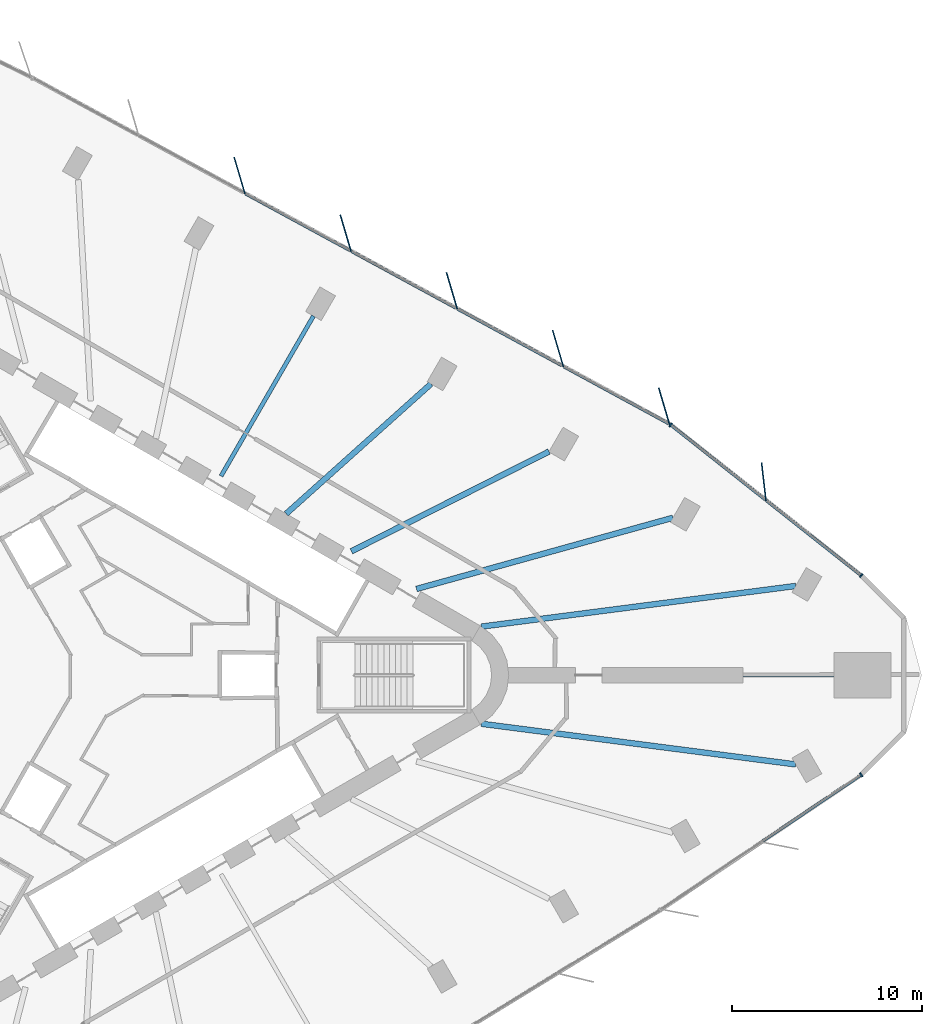
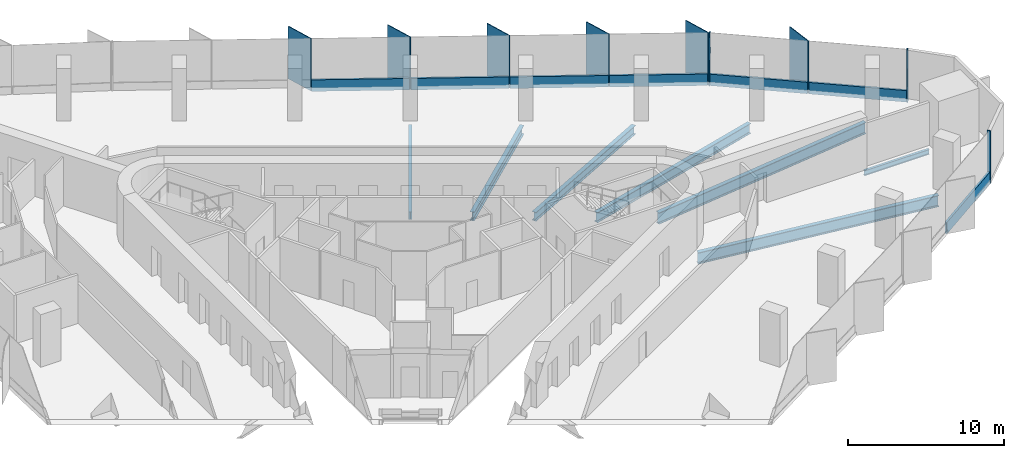
# One storey, part 5 of 14: 16 members, 7 beams, 3 elements without a shape of their own.
"""IFC4 building model written with IfcOpenShell, lengths in metres."""

from ifc_helpers import new_model, si_unit, direction, frame, origin, origin_2d, place, context, subcontext, project, spatial, rectangle, i_section, extrude, material, material_profile, profile_set, type_object, element, aggregate, save


model = new_model("IFC4")

# Units and contexts
model_context = context("Model", 3, precision=1e-05, world=origin(), true_north=direction((0.0, 1.0)))
body_context = subcontext(model_context, "Body", "Model", "MODEL_VIEW")
ifc_project = project(units=[si_unit("LENGTHUNIT", "METRE"), si_unit("AREAUNIT", "SQUARE_METRE"), si_unit("VOLUMEUNIT", "CUBIC_METRE"), si_unit("PLANEANGLEUNIT", "RADIAN"), si_unit("MASSUNIT", "GRAM", prefix="KILO")], contexts=[model_context])

# Site, building, storey
site_placement = place(None, origin())
site = spatial("IfcSite", under=ifc_project, at=site_placement, CompositionType="ELEMENT")
building_placement = place(site_placement, origin())
building = spatial("IfcBuilding", under=site, at=building_placement, Name="Tanit Gate Tower", CompositionType="ELEMENT")
storey_placement = place(building_placement, frame((0.0, 0.0, 148.0)))
storey = spatial("IfcBuildingStorey", under=building, at=storey_placement, Name="L32", CompositionType="ELEMENT", Elevation=148.0)

# Curtain wall, member
ifc_material_1 = material(Name="Aluminium bronze anodised and glass", Category="aluminium")
curtain_wall_type = type_object("IfcCurtainWallType", Name="Curtain wall typical low", PredefinedType="NOTDEFINED", material=ifc_material_1)
curtain_wall_1_placement = place(storey_placement, origin())
curtain_wall_1 = element("IfcCurtainWall", 1, at=curtain_wall_1_placement, inside=storey, type_object=curtain_wall_type, Name="Curtain wall L32 NE1", PredefinedType="NOTDEFINED")
ifc_material_2 = material(Name="Aluminium bronze anodised", Category="aluminium")
ifc_material_profile_1 = material_profile(ifc_material_2, rectangle(XDim=2.0, YDim=0.055908203125, at=origin_2d()), Name="56x2000 bronze fin mullion")
ifc_profile_set_1 = profile_set([ifc_material_profile_1], Name="Aluminium bronze anodised")
member_type_1 = type_object("IfcMemberType", Name="FIN MULLION 56x2000 bronze", PredefinedType="MULLION", material=ifc_profile_set_1)
member_1_placement = place(storey_placement, frame((34.624755859375, 10.18505859375, -0.300048828125), z_axis=(0.0, 0.0, 1.0), x_axis=(0.115806161098, -0.993271832406, 0.0)))
member_1 = element("IfcMember", 2, at=member_1_placement, type_object=member_type_1, Name="Fin mullion L32 NE1.2", PredefinedType="MULLION", context=body_context, shape_type="SweptSolid", body=[
    extrude(rectangle(XDim=2.0, YDim=0.055908203125, at=origin_2d()), origin(), (0.0, 0.0, 1.0), 4.10009765625),
])

# Curtain wall, members
curtain_wall_2_placement = place(storey_placement, origin())
curtain_wall_2 = element("IfcCurtainWall", 3, at=curtain_wall_2_placement, inside=storey, type_object=curtain_wall_type, Name="Curtain wall L32 NE2", PredefinedType="NOTDEFINED")
member_2_placement = place(storey_placement, frame((29.380615234375, 14.161865234375, -0.300048828125), z_axis=(0.0, 0.0, 1.0), x_axis=(0.28377270479, -0.958891574692, 0.0)))
member_2 = element("IfcMember", 4, at=member_2_placement, type_object=member_type_1, Name="Fin mullion L32 NE2.1", PredefinedType="MULLION", context=body_context, shape_type="SweptSolid", body=[
    extrude(rectangle(XDim=2.0, YDim=0.055908203125, at=origin_2d()), origin(), (0.0, 0.0, 1.0), 4.10009765625),
])
member_3_placement = place(storey_placement, frame((23.79248046875, 17.197998046875, -0.300048828125), z_axis=(0.0, 0.0, 1.0), x_axis=(0.28377270479, -0.958891574692, 0.0)))
member_3 = element("IfcMember", 5, at=member_3_placement, type_object=member_type_1, Name="Fin mullion L32 NE2.2", PredefinedType="MULLION", context=body_context, shape_type="SweptSolid", body=[
    extrude(rectangle(XDim=2.0, YDim=0.055908203125, at=origin_2d()), origin(), (0.0, 0.0, 1.0), 4.10009765625),
])
member_4_placement = place(storey_placement, frame((18.2041015625, 20.234130859375, -0.300048828125), z_axis=(0.0, 0.0, 1.0), x_axis=(0.28377270479, -0.958891574692, 0.0)))
member_4 = element("IfcMember", 6, at=member_4_placement, type_object=member_type_1, Name="Fin mullion L32 NE2.3", PredefinedType="MULLION", context=body_context, shape_type="SweptSolid", body=[
    extrude(rectangle(XDim=2.0, YDim=0.055908203125, at=origin_2d()), origin(), (0.0, 0.0, 1.0), 4.10009765625),
])
member_5_placement = place(storey_placement, frame((12.61572265625, 23.27001953125, -0.300048828125), z_axis=(0.0, 0.0, 1.0), x_axis=(0.28377270479, -0.958891574692, 0.0)))
member_5 = element("IfcMember", 7, at=member_5_placement, type_object=member_type_1, Name="Fin mullion L32 NE2.4", PredefinedType="MULLION", context=body_context, shape_type="SweptSolid", body=[
    extrude(rectangle(XDim=2.0, YDim=0.055908203125, at=origin_2d()), origin(), (0.0, 0.0, 1.0), 4.10009765625),
])
member_6_placement = place(storey_placement, frame((7.02734375, 26.30615234375, -0.300048828125), z_axis=(0.0, 0.0, 1.0), x_axis=(0.28377270479, -0.958891574692, 0.0)))
member_6 = element("IfcMember", 8, at=member_6_placement, type_object=member_type_1, Name="Fin mullion L32 NE2.5", PredefinedType="MULLION", context=body_context, shape_type="SweptSolid", body=[
    extrude(rectangle(XDim=2.0, YDim=0.055908203125, at=origin_2d()), origin(), (0.0, 0.0, 1.0), 4.10009765625),
])

# Member
ifc_material_3 = material(Name="Aluminium bronze anodised", Category="aluminium")
ifc_material_profile_2 = material_profile(ifc_material_3, rectangle(XDim=0.239990234375, YDim=0.080078125, at=origin_2d()), Name="80x240 bronze mullion")
ifc_profile_set_2 = profile_set([ifc_material_profile_2], Name="Aluminium bronze anodised")
member_type_2 = type_object("IfcMemberType", Name="Mullion 80x240 typical low", PredefinedType="MULLION", material=ifc_profile_set_2)
member_7_placement = place(storey_placement, frame((39.75146484375, 5.247802734375, -0.300048828125), z_axis=(0.0, 0.0, 1.0), x_axis=(-0.620461926441, -0.784236570072, 0.0)))
member_7 = element("IfcMember", 9, at=member_7_placement, type_object=member_type_2, Name="Mullion L32 NE1.1", PredefinedType="MULLION", context=body_context, shape_type="SweptSolid", body=[
    extrude(rectangle(XDim=0.239990234375, YDim=0.080078125, at=origin_2d()), origin(), (0.0, 0.0, 1.0), 4.10009765625),
])

member_8_placement = place(storey_placement, frame((29.724609375, 13.180908203125, -0.300048828125), z_axis=(0.0, 0.0, 1.0), x_axis=(-0.620461926441, -0.784236570072, 0.0)))
member_8 = element("IfcMember", 10, at=member_8_placement, type_object=member_type_2, Name="Mullion L32 NE1.3", PredefinedType="MULLION", context=body_context, shape_type="SweptSolid", body=[
    extrude(rectangle(XDim=0.239990234375, YDim=0.080078125, at=origin_2d()), origin(), (0.0, 0.0, 1.0), 4.10009765625),
])

# Curtain wall, member
curtain_wall_3_placement = place(storey_placement, origin())
curtain_wall_3 = element("IfcCurtainWall", 11, at=curtain_wall_3_placement, inside=storey, type_object=curtain_wall_type, Name="Curtain wall L32 SE3", PredefinedType="NOTDEFINED")
member_9_placement = place(storey_placement, frame((39.7529296875, -5.2421875, -0.300048828125), z_axis=(0.0, 0.0, 1.0), x_axis=(-0.558407554309, 0.82956675638, 0.0)))
member_9 = element("IfcMember", 12, at=member_9_placement, type_object=member_type_2, Name="Mullion L32 SE3.3", PredefinedType="MULLION", context=body_context, shape_type="SweptSolid", body=[
    extrude(rectangle(XDim=0.239990234375, YDim=0.080078125, at=origin_2d()), origin(), (0.0, 0.0, 1.0), 4.10009765625),
])

# Beams
ifc_material_4 = material(Name="Steel S355", Category="steel")
ifc_material_profile_3 = material_profile(ifc_material_4, i_section(OverallWidth=0.300048828125, OverallDepth=0.68994140625, WebThickness=0.014404296875, FlangeThickness=0.027099609375, FilletRadius=0.027099609375, at=origin_2d()), Name="HEA 700")
ifc_profile_set_3 = profile_set([ifc_material_profile_3], Name="Steel S355")
beam_type_1 = type_object("IfcBeamType", Name="RADIAL GIRDER HEA 700 S355", PredefinedType="BEAM", material=ifc_profile_set_3)
beam_1_placement = place(storey_placement, frame((23.3193359375, 11.774658203125, -0.64501953125), z_axis=(-0.892657080142, -0.450736438811, 0.0), x_axis=(0.450736438811, -0.892657080142, 0.0)))
element("IfcBeam", 13, at=beam_1_placement, inside=storey, type_object=beam_type_1, Name="RADIAL GIRDER", PredefinedType="BEAM", context=body_context, shape_type="SweptSolid", body=[
    extrude(i_section(OverallWidth=0.300048828125, OverallDepth=0.68994140625, WebThickness=0.014404296875, FlangeThickness=0.027099609375, FilletRadius=0.027099609375, at=origin_2d()), origin(), (0.0, 0.0, 1.0), 11.658935546875),
])
beam_2_placement = place(storey_placement, frame((17.104736328125, 15.33447265625, -0.64501953125), z_axis=(-0.744579249177, -0.667534075307, 0.0), x_axis=(0.667534075307, -0.744579249177, 0.0)))
element("IfcBeam", 14, at=beam_2_placement, inside=storey, type_object=beam_type_1, Name="RADIAL GIRDER", PredefinedType="BEAM", context=body_context, shape_type="SweptSolid", body=[
    extrude(i_section(OverallWidth=0.300048828125, OverallDepth=0.68994140625, WebThickness=0.014404296875, FlangeThickness=0.027099609375, FilletRadius=0.027099609375, at=origin_2d()), origin(), (0.0, 0.0, 1.0), 10.23828125),
])
ifc_material_5 = material(Name="Steel S355", Category="steel")
ifc_material_profile_4 = material_profile(ifc_material_5, i_section(OverallWidth=0.300048828125, OverallDepth=0.7900390625, WebThickness=0.014892578125, FlangeThickness=0.028076171875, FilletRadius=0.030029296875, at=origin_2d()), Name="HEA 800")
ifc_profile_set_4 = profile_set([ifc_material_profile_4], Name="Steel S355")
beam_type_2 = type_object("IfcBeamType", Name="RADIAL GIRDER HEA 800 S355", PredefinedType="BEAM", material=ifc_profile_set_4)
beam_3_placement = place(storey_placement, frame((29.841552734375, 8.288330078125, -0.695068359375), z_axis=(-0.9635276455, -0.267608812181, 0.0), x_axis=(0.267608812181, -0.9635276455, 0.0)))
element("IfcBeam", 15, at=beam_3_placement, inside=storey, type_object=beam_type_2, Name="RADIAL GIRDER", PredefinedType="BEAM", context=body_context, shape_type="SweptSolid", body=[
    extrude(i_section(OverallWidth=0.300048828125, OverallDepth=0.7900390625, WebThickness=0.014892578125, FlangeThickness=0.028076171875, FilletRadius=0.030029296875, at=origin_2d()), origin(), (0.0, 0.0, 1.0), 14.01025390625),
])
ifc_material_6 = material(Name="Steel S355", Category="steel")
ifc_material_profile_5 = material_profile(ifc_material_6, i_section(OverallWidth=0.300048828125, OverallDepth=0.889892578125, WebThickness=0.01611328125, FlangeThickness=0.030029296875, FilletRadius=0.030029296875, at=origin_2d()), Name="HEA 900")
ifc_profile_set_5 = profile_set([ifc_material_profile_5], Name="Steel S355")
beam_type_3 = type_object("IfcBeamType", Name="RADIAL GIRDER HEA 900 S355", PredefinedType="BEAM", material=ifc_profile_set_5)
for number, where, z_axis, x_axis, name in (
    (16, (36.302978515625, -4.697509765625, -0.7451171875), (-0.991730467471, 0.128338146668, 0.0), (-0.128338146668, -0.991730467471, 0.0), "RADIAL GIRDER"),
    (17, (36.302978515625, 4.697509765625, -0.7451171875), (-0.991730467471, -0.128338146668, 0.0), (0.128338146668, -0.991730467471, 0.0), "RADIAL GIRDER"),
):
    element("IfcBeam", number, at=place(storey_placement, frame(where, z_axis=z_axis, x_axis=x_axis)), inside=storey, type_object=beam_type_3, Name=name, PredefinedType="BEAM", context=body_context, shape_type="SweptSolid", body=[
        extrude(i_section(OverallWidth=0.300048828125, OverallDepth=0.889892578125, WebThickness=0.01611328125, FlangeThickness=0.030029296875, FilletRadius=0.030029296875, at=origin_2d()), origin(), (0.0, 0.0, 1.0), 16.683349609375),
    ])
ifc_material_7 = material(Name="Steel S355", Category="steel")
ifc_material_profile_6 = material_profile(ifc_material_7, i_section(OverallWidth=0.179931640625, OverallDepth=0.39990234375, WebThickness=0.008544921875, FlangeThickness=0.013427734375, FilletRadius=0.02099609375, at=origin_2d()), Name="IPE 400")
ifc_profile_set_6 = profile_set([ifc_material_profile_6], Name="Steel S355")
beam_type_4 = type_object("IfcBeamType", Name="RADIAL GIRDER IPE 400 S355", PredefinedType="BEAM", material=ifc_profile_set_6)
beam_4_placement = place(storey_placement, frame((38.330078125, 0.0, -0.5), z_axis=(-1.0, 0.0, 0.0), x_axis=(0.0, -1.0, 0.0)))
element("IfcBeam", 18, at=beam_4_placement, inside=storey, type_object=beam_type_4, Name="RADIAL GIRDER", PredefinedType="BEAM", context=body_context, shape_type="SweptSolid", body=[
    extrude(i_section(OverallWidth=0.179931640625, OverallDepth=0.39990234375, WebThickness=0.008544921875, FlangeThickness=0.013427734375, FilletRadius=0.02099609375, at=origin_2d()), origin(), (0.0, 0.0, 1.0), 4.79638671875),
])
ifc_material_8 = material(Name="Steel S355", Category="steel")
ifc_material_profile_7 = material_profile(ifc_material_8, i_section(OverallWidth=0.219970703125, OverallDepth=0.60009765625, WebThickness=0.011962890625, FlangeThickness=0.01904296875, FilletRadius=0.02392578125, at=origin_2d()), Name="IPE 600")
ifc_profile_set_7 = profile_set([ifc_material_profile_7], Name="Steel S355")
beam_type_5 = type_object("IfcBeamType", Name="RADIAL GIRDER IPE 600 S355", PredefinedType="BEAM", material=ifc_profile_set_7)
beam_5_placement = place(storey_placement, frame((10.916259765625, 18.907470703125, -0.60009765625), z_axis=(-0.500003351622, -0.866023468716, 0.0), x_axis=(0.866023468716, -0.500003351622, 0.0)))
element("IfcBeam", 19, at=beam_5_placement, inside=storey, type_object=beam_type_5, Name="RADIAL GIRDER", PredefinedType="BEAM", context=body_context, shape_type="SweptSolid", body=[
    extrude(i_section(OverallWidth=0.219970703125, OverallDepth=0.60009765625, WebThickness=0.011962890625, FlangeThickness=0.01904296875, FilletRadius=0.02392578125, at=origin_2d()), origin(), (0.0, 0.0, 1.0), 9.73046875),
])

# Member
ifc_material_9 = material(Name="Aluminium bronze anodised", Category="aluminium")
ifc_material_profile_8 = material_profile(ifc_material_9, rectangle(XDim=0.159912109375, YDim=0.89990234375, at=origin_2d()), Name="160x900 bronze transom")
ifc_profile_set_8 = profile_set([ifc_material_profile_8], Name="Aluminium bronze anodised")
member_type_3 = type_object("IfcMemberType", Name="Transom 160x900 typical low", PredefinedType="USERDEFINED", material=ifc_profile_set_8)
member_10_placement = place(storey_placement, frame((39.72021484375, 5.272705078125, 0.14990234375), z_axis=(-0.784241840796, 0.620455264419, 0.0), x_axis=(-0.620455264419, -0.784241840796, 0.0)))
member_10 = element("IfcMember", 20, at=member_10_placement, type_object=member_type_3, Name="Transom L32 NE1.1", ObjectType="TRANSOM", PredefinedType="USERDEFINED", context=body_context, shape_type="SweptSolid", body=[
    extrude(rectangle(XDim=0.159912109375, YDim=0.89990234375, at=origin_2d()), origin(), (0.0, 0.0, 1.0), 6.312744140625),
])

member_11_placement = place(storey_placement, frame((34.706787109375, 9.2392578125, 0.14990234375), z_axis=(-0.784256728443, 0.620436446295, 0.0), x_axis=(-0.620436446295, -0.784256728443, 0.0)))
member_11 = element("IfcMember", 21, at=member_11_placement, type_object=member_type_3, Name="Transom L32 NE1.2", ObjectType="TRANSOM", PredefinedType="USERDEFINED", context=body_context, shape_type="SweptSolid", body=[
    extrude(rectangle(XDim=0.159912109375, YDim=0.89990234375, at=origin_2d()), origin(), (0.0, 0.0, 1.0), 6.31298828125),
])

aggregate(curtain_wall_1, [member_7, member_1, member_8, member_10, member_11])

member_12_placement = place(storey_placement, frame((29.623046875, 13.243896484375, 0.14990234375), z_axis=(-0.878701089496, 0.477372386422, 0.0), x_axis=(-0.477372386422, -0.878701089496, 0.0)))
member_12 = element("IfcMember", 22, at=member_12_placement, type_object=member_type_3, Name="Transom L32 NE2.1", ObjectType="TRANSOM", PredefinedType="USERDEFINED", context=body_context, shape_type="SweptSolid", body=[
    extrude(rectangle(XDim=0.159912109375, YDim=0.89990234375, at=origin_2d()), origin(), (0.0, 0.0, 1.0), 6.27978515625),
])

member_13_placement = place(storey_placement, frame((24.03466796875, 16.27978515625, 0.14990234375), z_axis=(-0.878684781584, 0.477402403232, 0.0), x_axis=(-0.477402403232, -0.878684781584, 0.0)))
member_13 = element("IfcMember", 23, at=member_13_placement, type_object=member_type_3, Name="Transom L32 NE2.2", ObjectType="TRANSOM", PredefinedType="USERDEFINED", context=body_context, shape_type="SweptSolid", body=[
    extrude(rectangle(XDim=0.159912109375, YDim=0.89990234375, at=origin_2d()), origin(), (0.0, 0.0, 1.0), 6.280029296875),
])

member_14_placement = place(storey_placement, frame((18.4462890625, 19.31591796875, 0.14990234375), z_axis=(-0.878701089496, 0.477372386422, 0.0), x_axis=(-0.477372386422, -0.878701089496, 0.0)))
member_14 = element("IfcMember", 24, at=member_14_placement, type_object=member_type_3, Name="Transom L32 NE2.3", ObjectType="TRANSOM", PredefinedType="USERDEFINED", context=body_context, shape_type="SweptSolid", body=[
    extrude(rectangle(XDim=0.159912109375, YDim=0.89990234375, at=origin_2d()), origin(), (0.0, 0.0, 1.0), 6.27978515625),
])

member_15_placement = place(storey_placement, frame((12.85791015625, 22.35205078125, 0.14990234375), z_axis=(-0.878701089496, 0.477372386422, 0.0), x_axis=(-0.477372386422, -0.878701089496, 0.0)))
member_15 = element("IfcMember", 25, at=member_15_placement, type_object=member_type_3, Name="Transom L32 NE2.4", ObjectType="TRANSOM", PredefinedType="USERDEFINED", context=body_context, shape_type="SweptSolid", body=[
    extrude(rectangle(XDim=0.159912109375, YDim=0.89990234375, at=origin_2d()), origin(), (0.0, 0.0, 1.0), 6.27978515625),
])

aggregate(curtain_wall_2, [member_2, member_3, member_4, member_5, member_6, member_12, member_13, member_14, member_15])

member_16_placement = place(storey_placement, frame((34.525634765625, -8.7607421875, 0.14990234375), z_axis=(0.829564474487, 0.55841094426, 0.0), x_axis=(-0.55841094426, 0.829564474487, 0.0)))
member_16 = element("IfcMember", 26, at=member_16_placement, type_object=member_type_3, Name="Transom L32 SE3.2", ObjectType="TRANSOM", PredefinedType="USERDEFINED", context=body_context, shape_type="SweptSolid", body=[
    extrude(rectangle(XDim=0.159912109375, YDim=0.89990234375, at=origin_2d()), origin(), (0.0, 0.0, 1.0), 6.26123046875),
])

aggregate(curtain_wall_3, [member_9, member_16])

save(model, "model.ifc")
